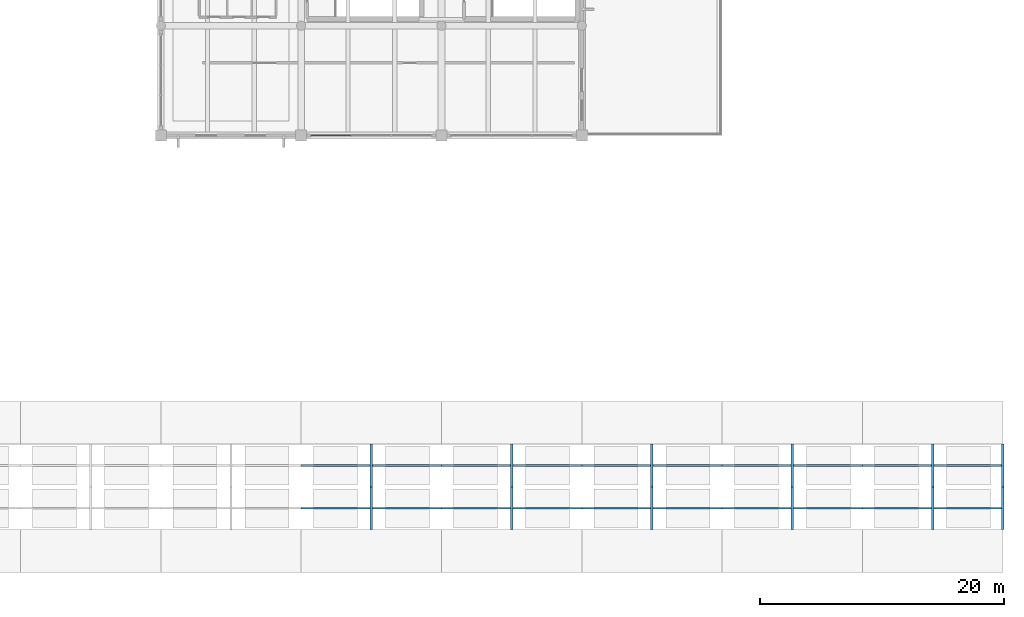
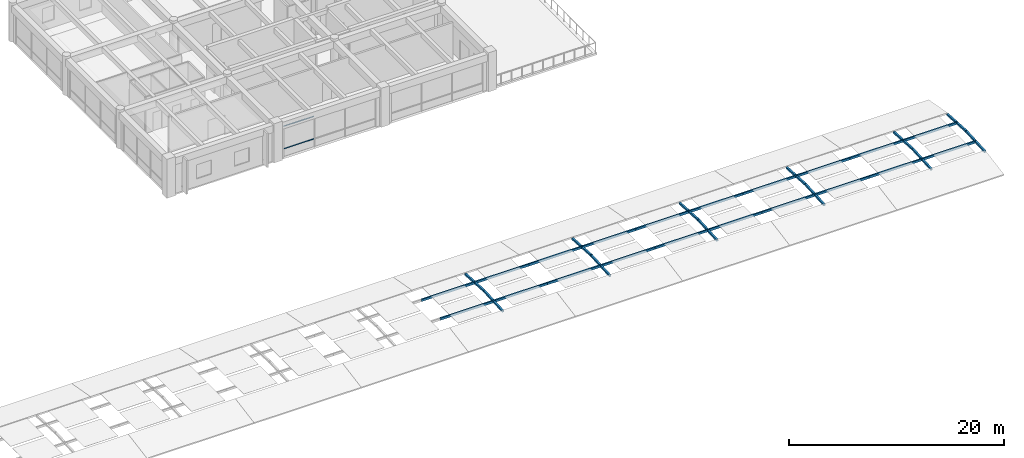
# One storey, part 10 of 27: 24 members, 1 element without a shape of its own.
"""IFC4 building model written with IfcOpenShell, lengths in metres."""

import ifcopenshell
import ifcopenshell.guid

model = None  # the IFC model being written
_history = None  # IfcOwnerHistory: only IFC2X3 demands one
_inside = {}  # id of a spatial element -> (the spatial element, [elements in it])
_under = {}  # id of a project, library or spatial element -> (it, [spatial elements below it])
_declared = {}  # id of a project -> (the project, [libraries it declares])
_typed = {}  # id of a type object -> (the type object, [elements of that type])
_made_of = {}  # id of a material, layer set ... -> (it, [elements and type objects made of it])


def new_model(schema):
    """Start an empty IFC model of exactly this schema.

    Asked for "IFC4X3", IfcOpenShell would pick the latest addendum, in which some entities
    have other attributes; the version numbers below select the first issue.
    IFC2X3 requires an IfcOwnerHistory on every rooted entity: one is made here for all.
    """
    global model, _history
    if schema == "IFC4X3":
        model = ifcopenshell.file(schema_version=(4, 3, 0, 0))
    else:
        model = ifcopenshell.file(schema=schema)
    _inside.clear()
    _under.clear()
    _declared.clear()
    _typed.clear()
    _made_of.clear()
    _history = None
    if model.schema == "IFC2X3":
        org = make("IfcOrganization", Name="unknown")
        user = make(
            "IfcPersonAndOrganization",
            ThePerson=make("IfcPerson", FamilyName="unknown"),
            TheOrganization=org,
        )
        app = make(
            "IfcApplication",
            ApplicationDeveloper=org,
            Version="unknown",
            ApplicationFullName="unknown",
            ApplicationIdentifier="unknown",
        )
        _history = make(
            "IfcOwnerHistory",
            OwningUser=user,
            OwningApplication=app,
            ChangeAction="ADDED",
            CreationDate=0,
        )
    return model


def make(cls, **values):
    """One entity of the class cls with the attributes given. An attribute that is None is left unset."""
    return model.create_entity(
        cls, **{name: value for name, value in values.items() if value is not None}
    )


def rooted(cls, **values):
    """An entity with a GlobalId (a new one), such as an element, a storey or a relation."""
    return make(cls, GlobalId=ifcopenshell.guid.new(), OwnerHistory=_history, **values)


def si_unit(unit_type, name, prefix=None):
    """IfcSIUnit, for example si_unit("LENGTHUNIT", "METRE", prefix="MILLI")."""
    return make("IfcSIUnit", UnitType=unit_type, Prefix=prefix, Name=name)


def assignment(units):
    """IfcUnitAssignment: the units of a project."""
    return None if units is None else make("IfcUnitAssignment", Units=units)


def point(xyz):
    """IfcCartesianPoint."""
    return None if xyz is None else make("IfcCartesianPoint", Coordinates=xyz)


def direction(xyz):
    """IfcDirection."""
    return None if xyz is None else make("IfcDirection", DirectionRatios=xyz)


def frame(location, z_axis=None, x_axis=None):
    """IfcAxis2Placement3D, a coordinate frame: its origin and axes. An axis left out is left unset."""
    return make(
        "IfcAxis2Placement3D",
        Location=point(location),
        Axis=direction(z_axis),
        RefDirection=direction(x_axis),
    )


def frame_2d(location, x_axis=None):
    """IfcAxis2Placement2D, a coordinate frame in the plane: its origin and x axis."""
    return make(
        "IfcAxis2Placement2D", Location=point(location), RefDirection=direction(x_axis)
    )


def origin():
    """The frame at (0, 0, 0) with its axes left unset."""
    return frame((0.0, 0.0, 0.0))


def origin_2d():
    """The frame at (0, 0) in the plane with its x axis left unset."""
    return frame_2d((0.0, 0.0))


def place(relative_to, where):
    """IfcLocalPlacement: puts the frame where relative to a parent placement (None: the world)."""
    return make(
        "IfcLocalPlacement", PlacementRelTo=relative_to, RelativePlacement=where
    )


def context(
    kind, dimensions, precision=None, world=None, true_north=None, identifier=None
):
    """IfcGeometricRepresentationContext, for example the 3D "Model" context."""
    return make(
        "IfcGeometricRepresentationContext",
        ContextIdentifier=identifier,
        ContextType=kind,
        CoordinateSpaceDimension=dimensions,
        Precision=precision,
        WorldCoordinateSystem=world,
        TrueNorth=true_north,
    )


def subcontext(parent, identifier, kind, view, scale=None):
    """IfcGeometricRepresentationSubContext, for example "Body" below "Model"."""
    return make(
        "IfcGeometricRepresentationSubContext",
        ContextIdentifier=identifier,
        ContextType=kind,
        ParentContext=parent,
        TargetScale=scale,
        TargetView=view,
    )


def project(units=None, contexts=None):
    """IfcProject with its units and contexts."""
    return rooted(
        "IfcProject",
        Name="project",
        RepresentationContexts=contexts,
        UnitsInContext=assignment(units),
    )


def spatial(cls, under=None, at=None, **own):
    """A site, building, storey or space (cls), placed at a placement, below another one or the project."""
    s = rooted(cls, ObjectPlacement=at, **own)
    if under is not None:
        _under.setdefault(under.id(), (under, []))[1].append(s)
    return s


def profile(cls, at=None, kind="AREA", **sizes):
    """A parametric profile (cls). Its sizes go by their IFC names, for example OverallWidth=200.0."""
    return make(cls, ProfileType=kind, Position=at, **sizes)


def hollow_rectangle(**sizes):
    """IfcRectangleHollowProfileDef."""
    return profile("IfcRectangleHollowProfileDef", **sizes)


def extrude(swept, where, along, depth):
    """IfcExtrudedAreaSolid: the profile swept, set in the frame where, extruded along a direction by depth."""
    return make(
        "IfcExtrudedAreaSolid",
        SweptArea=swept,
        Position=where,
        ExtrudedDirection=direction(along),
        Depth=depth,
    )


def shape(context_of_items, identifier, shape_type, items):
    """IfcShapeRepresentation: the items that make up one representation, for example the "Body"."""
    return make(
        "IfcShapeRepresentation",
        ContextOfItems=context_of_items,
        RepresentationIdentifier=identifier,
        RepresentationType=shape_type,
        Items=items,
    )


def material(Name=None, Category=None):
    """IfcMaterial."""
    return make("IfcMaterial", Name=Name, Category=Category)


def material_profile(
    of_material, cross_section, Name=None, Category=None, Priority=None
):
    """IfcMaterialProfile: a cross section and its material."""
    return make(
        "IfcMaterialProfile",
        Name=Name,
        Material=of_material,
        Profile=cross_section,
        Priority=Priority,
        Category=Category,
    )


def profile_set(profiles, Name=None, composite=None):
    """IfcMaterialProfileSet."""
    return make(
        "IfcMaterialProfileSet",
        Name=Name,
        MaterialProfiles=profiles,
        CompositeProfile=composite,
    )


def made_of(thing, what):
    """Note that an element or type object is made of a material, layer set ...; save() writes the relation."""
    if what is not None:
        _made_of.setdefault(what.id(), (what, []))[1].append(thing)
    return thing


def type_object(cls, material=None, **own):
    """A type object (cls), such as IfcWallType, which elements share."""
    return made_of(rooted(cls, **own), material)


def element(
    cls,
    number,
    at=None,
    inside=None,
    cuts=None,
    type_object=None,
    material=None,
    context=None,
    identifier="Body",
    shape_type=None,
    held_by="IfcProductDefinitionShape",
    body=None,
    shapes=None,
    **own,
):
    """One element of the class cls, such as IfcWall. Its Tag is "e" and its number.

    at: its placement. inside: the storey or other place that contains it. cuts: it is an
    opening in that element (IfcRelVoidsElement). A single representation is given by context,
    identifier, shape_type and body (its items); several are given by shapes. held_by: the class
    of the entity that holds the representations. save() writes the other relations.
    """
    e = rooted(cls, Tag="e%d" % number, ObjectPlacement=at, **own)
    if body is not None:
        shapes = [shape(context, identifier, shape_type, body)]
    if shapes is not None:
        e.Representation = make(held_by, Representations=shapes)
    if inside is not None:
        _inside.setdefault(inside.id(), (inside, []))[1].append(e)
    if cuts is not None:
        rooted(
            "IfcRelVoidsElement", RelatingBuildingElement=cuts, RelatedOpeningElement=e
        )
    if type_object is not None:
        _typed.setdefault(type_object.id(), (type_object, []))[1].append(e)
    return made_of(e, material)


def aggregate(whole, parts):
    """IfcRelAggregates: a whole, such as a stair, and the parts it consists of."""
    return rooted("IfcRelAggregates", RelatingObject=whole, RelatedObjects=parts)


def save(model, path):
    """Write the relations noted so far, then the file.

    IfcRelAggregates (storeys below a building ...), IfcRelContainedInSpatialStructure (elements
    in a storey), IfcRelDefinesByType, IfcRelAssociatesMaterial and IfcRelDeclares: one each for
    every whole, place, type object, material and project.
    """
    for whole, parts in _under.values():
        aggregate(whole, parts)
    for where, things in _inside.values():
        rooted(
            "IfcRelContainedInSpatialStructure",
            RelatedElements=things,
            RelatingStructure=where,
        )
    for kind, things in _typed.values():
        rooted("IfcRelDefinesByType", RelatedObjects=things, RelatingType=kind)
    for what, things in _made_of.values():
        rooted("IfcRelAssociatesMaterial", RelatedObjects=things, RelatingMaterial=what)
    for by, libraries in _declared.values():
        rooted("IfcRelDeclares", RelatingContext=by, RelatedDefinitions=libraries)
    model.write(path)


model = new_model("IFC4")

# Units and contexts
model_context = context("Model", 3, precision=1e-05, world=origin(), true_north=direction((0.0, 1.0)))
body_context = subcontext(model_context, "Body", "Model", "MODEL_VIEW")
ifc_project = project(units=[si_unit("LENGTHUNIT", "METRE"), si_unit("AREAUNIT", "SQUARE_METRE"), si_unit("VOLUMEUNIT", "CUBIC_METRE"), si_unit("PLANEANGLEUNIT", "RADIAN"), si_unit("MASSUNIT", "GRAM", prefix="KILO")], contexts=[model_context])

# Site, building, storey
site_placement = place(None, origin())
site = spatial("IfcSite", under=ifc_project, at=site_placement, CompositionType="ELEMENT")
building_placement = place(site_placement, origin())
building = spatial("IfcBuilding", under=site, at=building_placement, Name="Ologun Quay Terminus", CompositionType="ELEMENT")
storey_placement = place(building_placement, frame((0.0, 0.0, 22.4599609375)))
storey = spatial("IfcBuildingStorey", under=building, at=storey_placement, Name="L05", CompositionType="ELEMENT", Elevation=22.4599609375)

# Curtain wall, members
ifc_material_1 = material(Name="Aluminium 6063-T6", Category="aluminium")
curtain_wall_type = type_object("IfcCurtainWallType", Name="Operations Wing Canteen Curtain Wall L05 10600x4050", PredefinedType="USERDEFINED", material=ifc_material_1)
curtain_wall_placement = place(storey_placement, origin())
curtain_wall = element("IfcCurtainWall", 1, at=curtain_wall_placement, inside=storey, type_object=curtain_wall_type, Name="CW-28 Curtain Wall CW-L05-152", ObjectType="UNITISED CURTAIN WALL", PredefinedType="USERDEFINED")
ifc_material_2 = material(Name="Aluminium 6063-T6", Category="aluminium")
ifc_material_profile_1 = material_profile(ifc_material_2, hollow_rectangle(XDim=0.054931640625, YDim=0.110107421875, WallThickness=0.00390625, at=origin_2d()), Name="ALU 110x55x4")
ifc_profile_set_1 = profile_set([ifc_material_profile_1], Name="Aluminium 6063-T6")
member_type_1 = type_object("IfcMemberType", Name="Courtyard Screen Transom 110x55", PredefinedType="USERDEFINED", material=ifc_profile_set_1)
member_1_placement = place(storey_placement, frame((127.320068359375, 85.800048828125, 0.900146484375), z_axis=(1.0, 0.0, 0.0), x_axis=(0.0, 1.0, 0.0)))
member_1 = element("IfcMember", 2, at=member_1_placement, type_object=member_type_1, Name="CW-L05-152 Transom B1-1", ObjectType="TRANSOM", PredefinedType="USERDEFINED", context=body_context, shape_type="SweptSolid", body=[
    extrude(hollow_rectangle(XDim=0.054931640625, YDim=0.110107421875, WallThickness=0.00390625, at=origin_2d()), origin(), (0.0, 0.0, 1.0), 3.28662109375),
])
member_2_placement = place(storey_placement, frame((127.320068359375, 85.800048828125, 3.449951171875), z_axis=(1.0, 0.0, 0.0), x_axis=(0.0, 1.0, 0.0)))
member_2 = element("IfcMember", 3, at=member_2_placement, type_object=member_type_1, Name="CW-L05-152 Transom B1-2", ObjectType="TRANSOM", PredefinedType="USERDEFINED", context=body_context, shape_type="SweptSolid", body=[
    extrude(hollow_rectangle(XDim=0.054931640625, YDim=0.110107421875, WallThickness=0.00390625, at=origin_2d()), origin(), (0.0, 0.0, 1.0), 3.28662109375),
])
aggregate(curtain_wall, [member_1, member_2])

# Members
ifc_material_3 = material(Name="Steel S355", Category="steel")
ifc_material_profile_2 = material_profile(ifc_material_3, hollow_rectangle(XDim=0.199951171875, YDim=0.199951171875, WallThickness=0.008056640625, at=origin_2d()), Name="SHS 200x200x8")
ifc_profile_set_2 = profile_set([ifc_material_profile_2], Name="Steel S355")
member_type_2 = type_object("IfcMemberType", Name="Skylight Cross Transom Bar RHS150", PredefinedType="STRUT", material=ifc_profile_set_2)
for number, where, z_axis, x_axis, name in (
    (4, (132.25, 53.5, 0.301025390625), (0.0, 0.998222121157, 0.0596036646), (-1.0, 0.0, 0.0), "SK2 Skylight Transom B12-5"),
    (5, (132.25, 57.0, 0.510009765625), (0.0, 0.998222121157, -0.0596036646), (-1.0, 0.0, 0.0), "SK2 Skylight Transom B12-6"),
    (6, (143.75, 53.5, 0.301025390625), (0.0, 0.998222121157, 0.0596036646), (-1.0, 0.0, 0.0), "SK2 Skylight Transom B13-5"),
    (7, (143.75, 57.0, 0.510009765625), (0.0, 0.998222121157, -0.0596036646), (-1.0, 0.0, 0.0), "SK2 Skylight Transom B13-6"),
    (8, (155.25, 53.5, 0.301025390625), (0.0, 0.998222121157, 0.0596036646), (-1.0, 0.0, 0.0), "SK2 Skylight Transom B14-5"),
    (9, (155.25, 57.0, 0.510009765625), (0.0, 0.998222121157, -0.0596036646), (-1.0, 0.0, 0.0), "SK2 Skylight Transom B14-6"),
    (10, (166.75, 53.5, 0.301025390625), (0.0, 0.998222121157, 0.0596036646), (-1.0, 0.0, 0.0), "SK2 Skylight Transom B15-5"),
    (11, (166.75, 57.0, 0.510009765625), (0.0, 0.998222121157, -0.0596036646), (-1.0, 0.0, 0.0), "SK2 Skylight Transom B15-6"),
    (12, (178.25, 53.5, 0.301025390625), (0.0, 0.998222121157, 0.0596036646), (-1.0, 0.0, 0.0), "SK2 Skylight Transom B16-5"),
    (13, (184.0, 53.5, 0.301025390625), (0.0, 0.998222121157, 0.0596036646), (-1.0, 0.0, 0.0), "SK2 Gable Skylight Transom G17-5"),
    (14, (178.25, 57.0, 0.510009765625), (0.0, 0.998222121157, -0.0596036646), (-1.0, 0.0, 0.0), "SK2 Skylight Transom B16-6"),
    (15, (184.0, 57.0, 0.510009765625), (0.0, 0.998222121157, -0.0596036646), (-1.0, 0.0, 0.0), "SK2 Gable Skylight Transom G17-6"),
):
    element("IfcMember", number, at=place(storey_placement, frame(where, z_axis=z_axis, x_axis=x_axis)), inside=storey, type_object=member_type_2, Name=name, PredefinedType="STRUT", context=body_context, shape_type="SweptSolid", body=[
        extrude(hollow_rectangle(XDim=0.199951171875, YDim=0.199951171875, WallThickness=0.008056640625, at=origin_2d()), origin(), (0.0, 0.0, 1.0), 3.50634765625),
    ])
ifc_material_4 = material(Name="Steel S355", Category="steel")
ifc_material_profile_3 = material_profile(ifc_material_4, hollow_rectangle(XDim=0.14990234375, YDim=0.25, WallThickness=0.008056640625, at=origin_2d()), Name="RHS 250x150x8")
ifc_profile_set_3 = profile_set([ifc_material_profile_3], Name="Steel S355")
member_type_3 = type_object("IfcMemberType", Name="Skylight Longitudinal Glazing Bar RHS200", PredefinedType="PURLIN", material=ifc_profile_set_3)
for number, where, z_axis, x_axis, name in (
    (16, (126.5, 55.25, 0.405517578125), (1.0, 0.0, 0.0), (0.0, 1.0, 0.0), "SK1 Skylight Bar B12-5"),
    (17, (126.5, 58.75, 0.405517578125), (1.0, 0.0, 0.0), (0.0, 1.0, 0.0), "SK1 Skylight Bar B12-6"),
    (18, (138.0, 55.25, 0.405517578125), (1.0, 0.0, 0.0), (0.0, 1.0, 0.0), "SK1 Skylight Bar B13-5"),
    (19, (138.0, 58.75, 0.405517578125), (1.0, 0.0, 0.0), (0.0, 1.0, 0.0), "SK1 Skylight Bar B13-6"),
    (20, (149.5, 55.25, 0.405517578125), (1.0, 0.0, 0.0), (0.0, 1.0, 0.0), "SK1 Skylight Bar B14-5"),
    (21, (149.5, 58.75, 0.405517578125), (1.0, 0.0, 0.0), (0.0, 1.0, 0.0), "SK1 Skylight Bar B14-6"),
    (22, (161.0, 55.25, 0.405517578125), (1.0, 0.0, 0.0), (0.0, 1.0, 0.0), "SK1 Skylight Bar B15-5"),
    (23, (161.0, 58.75, 0.405517578125), (1.0, 0.0, 0.0), (0.0, 1.0, 0.0), "SK1 Skylight Bar B15-6"),
    (24, (172.5, 55.25, 0.405517578125), (1.0, 0.0, 0.0), (0.0, 1.0, 0.0), "SK1 Skylight Bar B16-5"),
    (25, (172.5, 58.75, 0.405517578125), (1.0, 0.0, 0.0), (0.0, 1.0, 0.0), "SK1 Skylight Bar B16-6"),
):
    element("IfcMember", number, at=place(storey_placement, frame(where, z_axis=z_axis, x_axis=x_axis)), inside=storey, type_object=member_type_3, Name=name, PredefinedType="PURLIN", context=body_context, shape_type="SweptSolid", body=[
        extrude(hollow_rectangle(XDim=0.14990234375, YDim=0.25, WallThickness=0.008056640625, at=origin_2d()), origin(), (0.0, 0.0, 1.0), 11.5),
    ])

save(model, "model.ifc")
